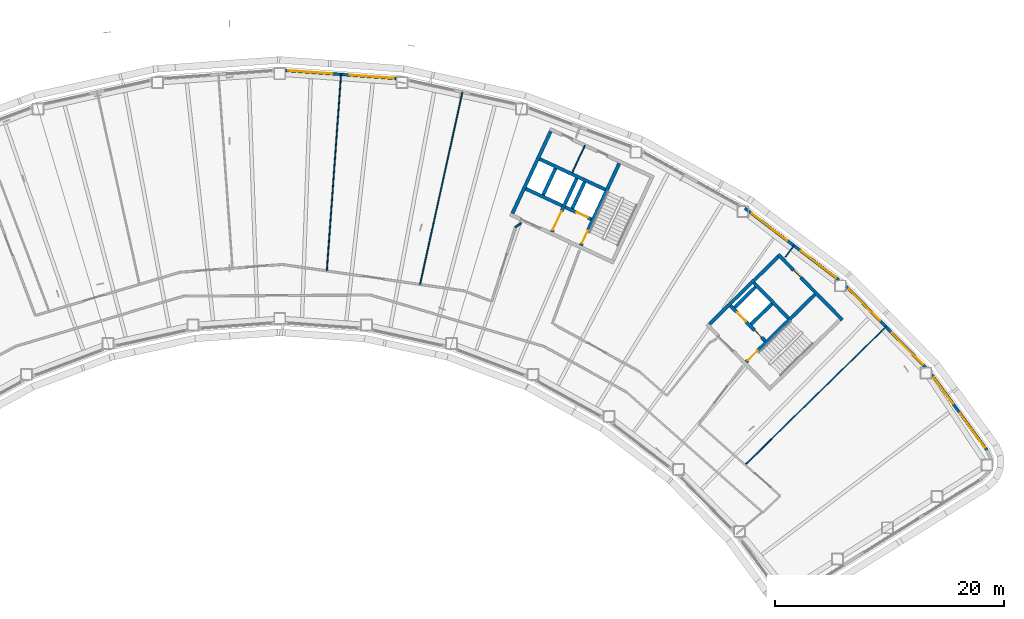
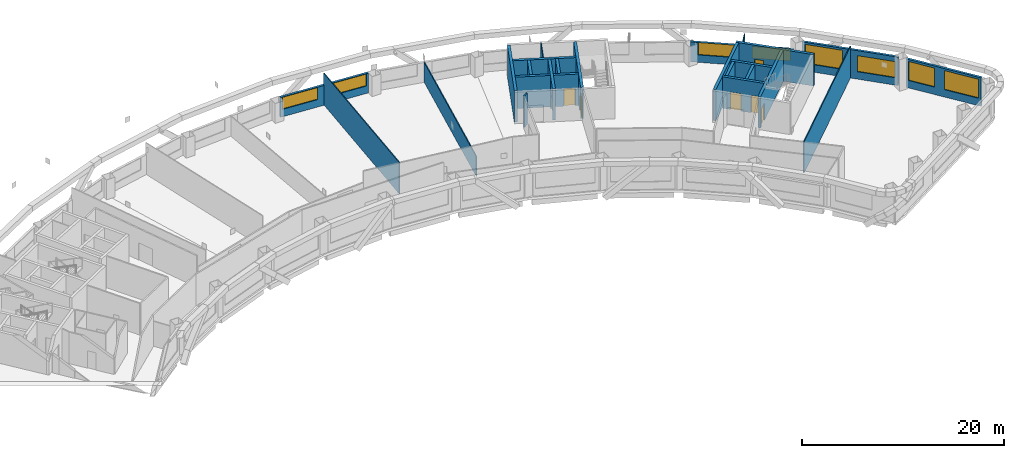
# One storey, part 7 of 19: 25 walls, 8 windows, 7 doors, 15 openings.
"""IFC4 building model written with IfcOpenShell, lengths in metres."""

from ifc_helpers import new_model, si_unit, direction, frame, frame_2d, origin, place, context, subcontext, project, spatial, rectangle, extrude, material, layer, layer_set, type_object, element, fill, save


model = new_model("IFC4")

# Units and contexts
model_context = context("Model", 3, precision=1e-05, world=origin(), true_north=direction((0.0, 1.0)))
body_context = subcontext(model_context, "Body", "Model", "MODEL_VIEW")
ifc_project = project(units=[si_unit("LENGTHUNIT", "METRE"), si_unit("AREAUNIT", "SQUARE_METRE"), si_unit("VOLUMEUNIT", "CUBIC_METRE"), si_unit("PLANEANGLEUNIT", "RADIAN"), si_unit("MASSUNIT", "GRAM", prefix="KILO")], contexts=[model_context])

# Site, building, storey
site_placement = place(None, origin())
site = spatial("IfcSite", under=ifc_project, at=site_placement, CompositionType="ELEMENT")
building_placement = place(site_placement, origin())
building = spatial("IfcBuilding", under=site, at=building_placement, Name="Tuul Gate Civic Tower", CompositionType="ELEMENT")
storey_placement = place(building_placement, frame((0.0, 0.0, 163.39990234375)))
storey = spatial("IfcBuildingStorey", under=building, at=storey_placement, Name="Level 37", CompositionType="ELEMENT", Elevation=163.39990234375)

# Wall, openings, doors
ifc_material_1 = material(Name="Concrete C50/60", Category="concrete")
ifc_layer_1 = layer(ifc_material_1, 0.300048828125)
ifc_layer_set_1 = layer_set([ifc_layer_1], Name="Concrete C50/60")
wall_type_1 = type_object("IfcWallType", Name="Core wall C50/60", PredefinedType="SHEAR", material=ifc_layer_set_1)
wall_1_placement = place(storey_placement, frame((47.701904296875, -14.079833984375, 0.0), z_axis=(0.0, 0.0, 1.0), x_axis=(-0.700002721075, 0.714140175657, 0.0)))
wall_1 = element("IfcWall", 1, at=wall_1_placement, inside=storey, type_object=wall_type_1, Name="Core wall", PredefinedType="SHEAR", context=body_context, shape_type="SweptSolid", body=[
    extrude(rectangle(XDim=4.300048828125, YDim=0.300048828125, at=frame_2d((2.14990234375, 0.0))), origin(), (0.0, 0.0, 1.0), 3.800048828125),
])
opening_1_placement = place(wall_1_placement, frame((0.425048828125, 0.0, 0.0)))
opening_1 = element("IfcOpeningElement", 2, at=opening_1_placement, cuts=wall_1, Name="Opening FB-E1A1", PredefinedType="OPENING", context=body_context, shape_type="SweptSolid", body=[
    extrude(rectangle(XDim=0.89990234375, YDim=2.10009765625, at=frame_2d((0.449951171875, 1.050048828125))), frame((0.0, 0.16015625, 0.0), z_axis=(0.0, -1.0, 0.0), x_axis=(1.0, 0.0, 0.0)), (0.0, 0.0, 1.0), 0.320068359375),
])
opening_2_placement = place(wall_1_placement, frame((2.375, 0.0, 0.0)))
opening_2 = element("IfcOpeningElement", 3, at=opening_2_placement, cuts=wall_1, Name="Opening LD-M3", PredefinedType="OPENING", context=body_context, shape_type="SweptSolid", body=[
    extrude(rectangle(XDim=1.10009765625, YDim=2.10009765625, at=frame_2d((0.550048828125, 1.050048828125))), frame((0.0, 0.16015625, 0.0), z_axis=(0.0, -1.0, 0.0), x_axis=(1.0, 0.0, 0.0)), (0.0, 0.0, 1.0), 0.320068359375),
])
ifc_material_2 = material(Name="Stainless steel", Category="steel")
door_type_1 = type_object("IfcDoorType", Name="Landing door", OperationType="DOUBLE_DOOR_SLIDING", PredefinedType="DOOR", material=ifc_material_2)
door_1_placement = place(opening_2_placement, origin())
door_1 = element("IfcDoor", 4, at=door_1_placement, inside=storey, type_object=door_type_1, Name="Mid-rise lift M3 landing door", OperationType="DOUBLE_DOOR_SLIDING", OverallHeight=2.10009765625, OverallWidth=1.10009765625, PredefinedType="DOOR", context=body_context, shape_type="SweptSolid", body=[
    extrude(rectangle(XDim=1.10009765625, YDim=2.10009765625, at=frame_2d((0.550048828125, 1.050048828125))), frame((0.0, 0.02490234375, 0.0), z_axis=(0.0, -1.0, 0.0), x_axis=(1.0, 0.0, 0.0)), (0.0, 0.0, 1.0), 0.050048828125),
])
fill(opening_2, door_1)
ifc_material_3 = material(Name="Steel", Category="steel")
door_type_2 = type_object("IfcDoorType", Name="Store door", OperationType="NOTDEFINED", PredefinedType="DOOR", material=ifc_material_3)
door_2_placement = place(opening_1_placement, frame((0.89990234375, 0.0, 0.0), z_axis=(0.0, 0.0, 1.0), x_axis=(-1.0, 0.0, 0.0)))
door_2 = element("IfcDoor", 5, at=door_2_placement, inside=storey, type_object=door_type_2, Name="Store door E1A1", OperationType="SINGLE_SWING_RIGHT", OverallHeight=2.10009765625, OverallWidth=0.89990234375, PredefinedType="DOOR", context=body_context, shape_type="SweptSolid", body=[
    extrude(rectangle(XDim=0.89990234375, YDim=2.10009765625, at=frame_2d((0.449951171875, 1.050048828125))), frame((0.0, 0.02490234375, 0.0), z_axis=(0.0, -1.0, 0.0), x_axis=(1.0, 0.0, 0.0)), (0.0, 0.0, 1.0), 0.050048828125),
])
fill(opening_1, door_2)

# Wall
wall_2_placement = place(storey_placement, frame((49.737060546875, -12.0849609375, 0.0), z_axis=(0.0, 0.0, 1.0), x_axis=(-0.700002721075, 0.714140175657, 0.0)))
element("IfcWall", 6, at=wall_2_placement, inside=storey, type_object=wall_type_1, Name="Core wall", PredefinedType="SHEAR", context=body_context, shape_type="SweptSolid", body=[
    extrude(rectangle(XDim=4.300048828125, YDim=0.300048828125, at=frame_2d((2.14990234375, 0.0))), origin(), (0.0, 0.0, 1.0), 3.800048828125),
])

# Wall, opening, door
wall_3_placement = place(storey_placement, frame((54.43798828125, -12.23779296875, 0.0), z_axis=(0.0, 0.0, 1.0), x_axis=(-0.700021979774, 0.714121297703, 0.0)))
wall_3 = element("IfcWall", 7, at=wall_3_placement, inside=storey, type_object=wall_type_1, Name="Core wall", PredefinedType="SHEAR", context=body_context, shape_type="SweptSolid", body=[
    extrude(rectangle(XDim=8.0, YDim=0.300048828125, at=frame_2d((4.0, 0.0))), origin(), (0.0, 0.0, 1.0), 3.800048828125),
])
opening_3_placement = place(wall_3_placement, frame((5.175048828125, 0.0, 0.0)))
opening_3 = element("IfcOpeningElement", 8, at=opening_3_placement, cuts=wall_3, Name="Opening M-D20", PredefinedType="OPENING", context=body_context, shape_type="SweptSolid", body=[
    extrude(rectangle(XDim=0.89990234375, YDim=2.10009765625, at=frame_2d((0.449951171875, 1.050048828125))), frame((0.0, 0.16015625, 0.0), z_axis=(0.0, -1.0, 0.0), x_axis=(1.0, 0.0, 0.0)), (0.0, 0.0, 1.0), 0.320068359375),
])
ifc_material_4 = material(Name="Timber door leaf", Category="wood")
door_type_3 = type_object("IfcDoorType", Name="Door D09", OperationType="NOTDEFINED", PredefinedType="DOOR", material=ifc_material_4)
door_3_placement = place(opening_3_placement, origin())
door_3 = element("IfcDoor", 9, at=door_3_placement, inside=storey, type_object=door_type_3, Name="Door M-D20", OperationType="SINGLE_SWING_LEFT", OverallHeight=2.10009765625, OverallWidth=0.89990234375, PredefinedType="DOOR", context=body_context, shape_type="SweptSolid", body=[
    extrude(rectangle(XDim=0.89990234375, YDim=2.10009765625, at=frame_2d((0.449951171875, 1.050048828125))), frame((0.0, 0.02490234375, 0.0), z_axis=(0.0, -1.0, 0.0), x_axis=(1.0, 0.0, 0.0)), (0.0, 0.0, 1.0), 0.050048828125),
])
fill(opening_3, door_3)

wall_4_placement = place(storey_placement, frame((46.05712890625, -15.902099609375, 0.0), z_axis=(0.0, 0.0, 1.0), x_axis=(0.714134086973, 0.700008932674, 0.0)))
wall_4 = element("IfcWall", 10, at=wall_4_placement, inside=storey, type_object=wall_type_1, Name="Core wall", PredefinedType="SHEAR", context=body_context, shape_type="SweptSolid", body=[
    extrude(rectangle(XDim=8.400146484375, YDim=0.300048828125, at=frame_2d((4.2001953125, 0.0))), origin(), (0.0, 0.0, 1.0), 3.800048828125),
])
opening_4_placement = place(wall_4_placement, frame((0.199951171875, 0.0, 0.0)))
opening_4 = element("IfcOpeningElement", 11, at=opening_4_placement, cuts=wall_4, Name="Opening SD-ST-3", PredefinedType="OPENING", context=body_context, shape_type="SweptSolid", body=[
    extrude(rectangle(XDim=1.199951171875, YDim=2.10009765625, at=frame_2d((0.60009765625, 1.050048828125))), frame((0.0, 0.16015625, 0.0), z_axis=(0.0, -1.0, 0.0), x_axis=(1.0, 0.0, 0.0)), (0.0, 0.0, 1.0), 0.320068359375),
])
ifc_material_5 = material(Name="Steel", Category="steel")
door_type_4 = type_object("IfcDoorType", Name="Stair door", OperationType="NOTDEFINED", PredefinedType="DOOR", material=ifc_material_5)
door_4_placement = place(opening_4_placement, origin())
door_4 = element("IfcDoor", 12, at=door_4_placement, inside=storey, type_object=door_type_4, Name="Stair door ST-3", OperationType="SINGLE_SWING_LEFT", OverallHeight=2.10009765625, OverallWidth=1.199951171875, PredefinedType="DOOR", context=body_context, shape_type="SweptSolid", body=[
    extrude(rectangle(XDim=1.199951171875, YDim=2.10009765625, at=frame_2d((0.60009765625, 1.050048828125))), frame((0.0, 0.02490234375, 0.0), z_axis=(0.0, -1.0, 0.0), x_axis=(1.0, 0.0, 0.0)), (0.0, 0.0, 1.0), 0.050048828125),
])
fill(opening_4, door_4)

# Walls
wall_5_placement = place(storey_placement, frame((46.47900390625, -12.617919921875, 0.0), z_axis=(0.0, 0.0, 1.0), x_axis=(0.71410944159, 0.700034074479, 0.0)))
element("IfcWall", 13, at=wall_5_placement, inside=storey, type_object=wall_type_1, Name="Core wall", PredefinedType="SHEAR", context=body_context, shape_type="SweptSolid", body=[
    extrude(rectangle(XDim=2.5498046875, YDim=0.300048828125, at=frame_2d((1.27490234375, 0.0))), origin(), (0.0, 0.0, 1.0), 3.800048828125),
])
wall_6_placement = place(storey_placement, frame((45.0439453125, -11.154052734375, 0.0), z_axis=(0.0, 0.0, 1.0), x_axis=(0.714108498262, 0.700035036773, 0.0)))
element("IfcWall", 14, at=wall_6_placement, inside=storey, type_object=wall_type_1, Name="Core wall", PredefinedType="SHEAR", context=body_context, shape_type="SweptSolid", body=[
    extrude(rectangle(XDim=2.550048828125, YDim=0.300048828125, at=frame_2d((1.27490234375, 0.0))), origin(), (0.0, 0.0, 1.0), 3.800048828125),
])
wall_7_placement = place(storey_placement, frame((42.837158203125, -12.616943359375, 0.0), z_axis=(0.0, 0.0, 1.0), x_axis=(0.714119844755, 0.700023461983, 0.0)))
element("IfcWall", 15, at=wall_7_placement, inside=storey, type_object=wall_type_1, Name="Core wall", PredefinedType="SHEAR", context=body_context, shape_type="SweptSolid", body=[
    extrude(rectangle(XDim=8.39990234375, YDim=0.300048828125, at=frame_2d((4.199951171875, 0.0))), origin(), (0.0, 0.0, 1.0), 3.800048828125),
])

# Wall, opening, door
wall_8_placement = place(storey_placement, frame((32.545654296875, -3.456787109375, 0.0), z_axis=(0.0, 0.0, 1.0), x_axis=(-0.906300357825, 0.42263419337, 0.0)))
wall_8 = element("IfcWall", 16, at=wall_8_placement, inside=storey, type_object=wall_type_1, Name="Core wall", PredefinedType="SHEAR", context=body_context, shape_type="SweptSolid", body=[
    extrude(rectangle(XDim=2.500244140625, YDim=0.300048828125, at=frame_2d((1.25, 0.0))), origin(), (0.0, 0.0, 1.0), 3.800048828125),
])
opening_5_placement = place(wall_8_placement, frame((0.324951171875, 0.0, 0.0)))
opening_5 = element("IfcOpeningElement", 17, at=opening_5_placement, cuts=wall_8, Name="Opening LD-FF-2", PredefinedType="OPENING", context=body_context, shape_type="SweptSolid", body=[
    extrude(rectangle(XDim=1.10009765625, YDim=2.10009765625, at=frame_2d((0.550048828125, 1.050048828125))), frame((0.0, 0.16015625, 0.0), z_axis=(0.0, -1.0, 0.0), x_axis=(1.0, 0.0, 0.0)), (0.0, 0.0, 1.0), 0.320068359375),
])
door_5_placement = place(opening_5_placement, origin())
door_5 = element("IfcDoor", 18, at=door_5_placement, inside=storey, type_object=door_type_1, Name="Fire-fighting lift FF-2 landing door", OperationType="DOUBLE_DOOR_SLIDING", OverallHeight=2.10009765625, OverallWidth=1.10009765625, PredefinedType="DOOR", context=body_context, shape_type="SweptSolid", body=[
    extrude(rectangle(XDim=1.10009765625, YDim=2.10009765625, at=frame_2d((0.550048828125, 1.050048828125))), frame((0.0, 0.02490234375, 0.0), z_axis=(0.0, -1.0, 0.0), x_axis=(1.0, 0.0, 0.0)), (0.0, 0.0, 1.0), 0.050048828125),
])
fill(opening_5, door_5)

# Walls
wall_9_placement = place(storey_placement, frame((30.0078125, -2.2734375, 0.0), z_axis=(0.0, 0.0, 1.0), x_axis=(-0.90630071767, 0.422633421716, 0.0)))
element("IfcWall", 19, at=wall_9_placement, inside=storey, type_object=wall_type_1, Name="Core wall", PredefinedType="SHEAR", context=body_context, shape_type="SweptSolid", body=[
    extrude(rectangle(XDim=3.5, YDim=0.300048828125, at=frame_2d((1.75, 0.0))), origin(), (0.0, 0.0, 1.0), 3.800048828125),
])
wall_10_placement = place(storey_placement, frame((33.75, -0.873779296875, 0.0), z_axis=(0.0, 0.0, 1.0), x_axis=(-0.906300917592, 0.422632992999, 0.0)))
element("IfcWall", 20, at=wall_10_placement, inside=storey, type_object=wall_type_1, Name="Core wall", PredefinedType="SHEAR", context=body_context, shape_type="SweptSolid", body=[
    extrude(rectangle(XDim=6.300048828125, YDim=0.300048828125, at=frame_2d((3.14990234375, 0.0))), origin(), (0.0, 0.0, 1.0), 3.800048828125),
])

# Wall, opening, door
wall_11_placement = place(storey_placement, frame((31.646240234375, -5.740478515625, 0.0), z_axis=(0.0, 0.0, 1.0), x_axis=(0.422582604137, 0.906324413596, 0.0)))
wall_11 = element("IfcWall", 21, at=wall_11_placement, inside=storey, type_object=wall_type_1, Name="Core wall", PredefinedType="SHEAR", context=body_context, shape_type="SweptSolid", body=[
    extrude(rectangle(XDim=7.89990234375, YDim=0.300048828125, at=frame_2d((3.949951171875, 0.0))), origin(), (0.0, 0.0, 1.0), 3.800048828125),
])
opening_6_placement = place(wall_11_placement, frame((0.199951171875, 0.0, 0.0)))
opening_6 = element("IfcOpeningElement", 22, at=opening_6_placement, cuts=wall_11, Name="Opening SD-ST-4", PredefinedType="OPENING", context=body_context, shape_type="SweptSolid", body=[
    extrude(rectangle(XDim=1.199951171875, YDim=2.10009765625, at=frame_2d((0.60009765625, 1.050048828125))), frame((0.0, 0.16015625, 0.0), z_axis=(0.0, -1.0, 0.0), x_axis=(1.0, 0.0, 0.0)), (0.0, 0.0, 1.0), 0.320068359375),
])
door_6_placement = place(opening_6_placement, origin())
door_6 = element("IfcDoor", 23, at=door_6_placement, inside=storey, type_object=door_type_4, Name="Stair door ST-4", OperationType="SINGLE_SWING_LEFT", OverallHeight=2.10009765625, OverallWidth=1.199951171875, PredefinedType="DOOR", context=body_context, shape_type="SweptSolid", body=[
    extrude(rectangle(XDim=1.199951171875, YDim=2.10009765625, at=frame_2d((0.60009765625, 1.050048828125))), frame((0.0, 0.02490234375, 0.0), z_axis=(0.0, -1.0, 0.0), x_axis=(1.0, 0.0, 0.0)), (0.0, 0.0, 1.0), 0.050048828125),
])
fill(opening_6, door_6)

# Wall
wall_12_placement = place(storey_placement, frame((30.886962890625, -2.517822265625, 0.0), z_axis=(0.0, 0.0, 1.0), x_axis=(0.422612891016, 0.906310291427, 0.0)))
element("IfcWall", 24, at=wall_12_placement, inside=storey, type_object=wall_type_1, Name="Core wall", PredefinedType="SHEAR", context=body_context, shape_type="SweptSolid", body=[
    extrude(rectangle(XDim=2.550048828125, YDim=0.300048828125, at=frame_2d((1.27490234375, 0.0))), origin(), (0.0, 0.0, 1.0), 3.800048828125),
])

# Wall, opening, door
wall_13_placement = place(storey_placement, frame((29.108642578125, -4.557373046875, 0.0), z_axis=(0.0, 0.0, 1.0), x_axis=(0.422566235356, 0.90633204552, 0.0)))
wall_13 = element("IfcWall", 25, at=wall_13_placement, inside=storey, type_object=wall_type_1, Name="Core wall", PredefinedType="SHEAR", context=body_context, shape_type="SweptSolid", body=[
    extrude(rectangle(XDim=5.150146484375, YDim=0.300048828125, at=frame_2d((2.5751953125, 0.0))), origin(), (0.0, 0.0, 1.0), 3.800048828125),
])
opening_7_placement = place(wall_13_placement, frame((0.175048828125, 0.0, 0.0)))
opening_7 = element("IfcOpeningElement", 26, at=opening_7_placement, cuts=wall_13, Name="Opening LB-E3-FLOBBY-1", PredefinedType="OPENING", context=body_context, shape_type="SweptSolid", body=[
    extrude(rectangle(XDim=1.800048828125, YDim=2.10009765625, at=frame_2d((0.89990234375, 1.050048828125))), frame((0.0, 0.16015625, 0.0), z_axis=(0.0, -1.0, 0.0), x_axis=(1.0, 0.0, 0.0)), (0.0, 0.0, 1.0), 0.320068359375),
])
ifc_material_6 = material(Name="Steel", Category="steel")
door_type_5 = type_object("IfcDoorType", Name="Lobby door", OperationType="DOUBLE_DOOR_SINGLE_SWING", PredefinedType="DOOR", material=ifc_material_6)
door_7_placement = place(opening_7_placement, frame((1.800048828125, 0.0, 0.0), z_axis=(0.0, 0.0, 1.0), x_axis=(-1.0, 0.0, 0.0)))
door_7 = element("IfcDoor", 27, at=door_7_placement, inside=storey, type_object=door_type_5, Name="Lobby door E3-FLOBBY", OperationType="DOUBLE_DOOR_SINGLE_SWING", OverallHeight=2.10009765625, OverallWidth=1.800048828125, PredefinedType="DOOR", context=body_context, shape_type="SweptSolid", body=[
    extrude(rectangle(XDim=1.800048828125, YDim=2.10009765625, at=frame_2d((0.900146484375, 1.050048828125))), frame((0.0, 0.02490234375, 0.0), z_axis=(0.0, -1.0, 0.0), x_axis=(1.0, 0.0, 0.0)), (0.0, 0.0, 1.0), 0.050048828125),
])
fill(opening_7, door_7)

# Walls
wall_14_placement = place(storey_placement, frame((28.349365234375, -1.33447265625, 0.0), z_axis=(0.0, 0.0, 1.0), x_axis=(0.422612891016, 0.906310291427, 0.0)))
element("IfcWall", 28, at=wall_14_placement, inside=storey, type_object=wall_type_1, Name="Core wall", PredefinedType="SHEAR", context=body_context, shape_type="SweptSolid", body=[
    extrude(rectangle(XDim=2.550048828125, YDim=0.300048828125, at=frame_2d((1.27490234375, 0.0))), origin(), (0.0, 0.0, 1.0), 3.800048828125),
])
wall_15_placement = place(storey_placement, frame((25.66455078125, -2.951416015625, 0.0), z_axis=(0.0, 0.0, 1.0), x_axis=(0.422582604137, 0.906324413596, 0.0)))
element("IfcWall", 29, at=wall_15_placement, inside=storey, type_object=wall_type_1, Name="Core wall", PredefinedType="SHEAR", context=body_context, shape_type="SweptSolid", body=[
    extrude(rectangle(XDim=7.89990234375, YDim=0.300048828125, at=frame_2d((3.949951171875, 0.0))), origin(), (0.0, 0.0, 1.0), 3.800048828125),
])
ifc_material_7 = material(Name="Gypsum board partition")
ifc_layer_2 = layer(ifc_material_7, 0.14990234375)
ifc_layer_set_2 = layer_set([ifc_layer_2], Name="Gypsum board partition")
wall_type_2 = type_object("IfcWallType", Name="Corridor wall P150", PredefinedType="PARTITIONING", material=ifc_layer_set_2)
wall_16_placement = place(storey_placement, frame((25.919677734375, -4.149169921875, 0.0), z_axis=(0.0, 0.0, 1.0), x_axis=(0.823470266963, 0.56735942702, 0.0)))
element("IfcWall", 30, at=wall_16_placement, inside=storey, type_object=wall_type_2, Name="p016", PredefinedType="PARTITIONING", context=body_context, shape_type="SweptSolid", body=[
    extrude(rectangle(XDim=0.611083984375, YDim=0.14990234375, at=frame_2d((0.3056640625, 0.0))), origin(), (0.0, 0.0, 1.0), 3.800048828125),
])

# Wall, openings, windows
ifc_material_8 = material(Name="Precast concrete C40/50", Category="concrete")
ifc_layer_3 = layer(ifc_material_8, 0.25)
ifc_layer_set_3 = layer_set([ifc_layer_3], Name="Precast concrete C40/50")
wall_type_3 = type_object("IfcWallType", Name="External wall", PredefinedType="STANDARD", material=ifc_layer_set_3)
wall_17_placement = place(storey_placement, frame((67.06298828125, -23.61376953125, 0.0), z_axis=(0.0, 0.0, 1.0), x_axis=(-0.589745261817, 0.807589330145, 0.0)))
wall_17 = element("IfcWall", 31, at=wall_17_placement, inside=storey, type_object=wall_type_3, Name="External wall", PredefinedType="STANDARD", context=body_context, shape_type="SweptSolid", body=[
    extrude(rectangle(XDim=8.167724609375, YDim=0.25, at=frame_2d((4.083984375, 0.0))), origin(), (0.0, 0.0, 1.0), 3.4501953125),
])
opening_8_placement = place(wall_17_placement, frame((0.30078125, 0.0, 0.89990234375)))
opening_8 = element("IfcOpeningElement", 32, at=opening_8_placement, cuts=wall_17, Name="Opening W21", PredefinedType="OPENING", context=body_context, shape_type="SweptSolid", body=[
    extrude(rectangle(XDim=3.699951171875, YDim=2.300048828125, at=frame_2d((1.85009765625, 1.14990234375))), frame((0.0, 0.135009765625, 0.0), z_axis=(0.0, -1.0, 0.0), x_axis=(1.0, 0.0, 0.0)), (0.0, 0.0, 1.0), 0.27001953125),
])
opening_9_placement = place(wall_17_placement, frame((5.052734375, 0.0, 0.89990234375)))
opening_9 = element("IfcOpeningElement", 33, at=opening_9_placement, cuts=wall_17, Name="Opening W23", PredefinedType="OPENING", context=body_context, shape_type="SweptSolid", body=[
    extrude(rectangle(XDim=2.800048828125, YDim=2.300048828125, at=frame_2d((1.39990234375, 1.14990234375))), frame((0.0, 0.135009765625, 0.0), z_axis=(0.0, -1.0, 0.0), x_axis=(1.0, 0.0, 0.0)), (0.0, 0.0, 1.0), 0.27001953125),
])
ifc_material_9 = material(Name="Glass", Category="glass")
window_type_1 = type_object("IfcWindowType", Name="Window W21 3700 x 2300", PartitioningType="SINGLE_PANEL", PredefinedType="WINDOW", material=ifc_material_9)
window_1_placement = place(opening_8_placement, origin())
window_1 = element("IfcWindow", 34, at=window_1_placement, inside=storey, type_object=window_type_1, Name="Window", OverallHeight=2.300048828125, OverallWidth=3.699951171875, PartitioningType="SINGLE_PANEL", PredefinedType="WINDOW", context=body_context, shape_type="SweptSolid", body=[
    extrude(rectangle(XDim=3.699951171875, YDim=2.300048828125, at=frame_2d((1.85009765625, 1.14990234375))), frame((0.0, 0.030029296875, 0.0), z_axis=(0.0, -1.0, 0.0), x_axis=(1.0, 0.0, 0.0)), (0.0, 0.0, 1.0), 0.06005859375),
])
fill(opening_8, window_1)
ifc_material_10 = material(Name="Glass", Category="glass")
window_type_2 = type_object("IfcWindowType", Name="Window W23 2800 x 2300", PartitioningType="SINGLE_PANEL", PredefinedType="WINDOW", material=ifc_material_10)
window_2_placement = place(opening_9_placement, origin())
window_2 = element("IfcWindow", 35, at=window_2_placement, inside=storey, type_object=window_type_2, Name="Window", OverallHeight=2.300048828125, OverallWidth=2.800048828125, PartitioningType="SINGLE_PANEL", PredefinedType="WINDOW", context=body_context, shape_type="SweptSolid", body=[
    extrude(rectangle(XDim=2.800048828125, YDim=2.300048828125, at=frame_2d((1.39990234375, 1.14990234375))), frame((0.0, 0.030029296875, 0.0), z_axis=(0.0, -1.0, 0.0), x_axis=(1.0, 0.0, 0.0)), (0.0, 0.0, 1.0), 0.06005859375),
])
fill(opening_9, window_2)

wall_18_placement = place(storey_placement, frame((61.7109375, -16.384033203125, 0.0), z_axis=(0.0, 0.0, 1.0), x_axis=(-0.700039889753, 0.714103740891, 0.0)))
wall_18 = element("IfcWall", 36, at=wall_18_placement, inside=storey, type_object=wall_type_3, Name="External wall", PredefinedType="STANDARD", context=body_context, shape_type="SweptSolid", body=[
    extrude(rectangle(XDim=9.912353515625, YDim=0.25, at=frame_2d((4.9560546875, 0.0))), origin(), (0.0, 0.0, 1.0), 3.4501953125),
])
opening_10_placement = place(wall_18_placement, frame((0.346923828125, 0.0, 0.89990234375)))
opening_10 = element("IfcOpeningElement", 37, at=opening_10_placement, cuts=wall_18, Name="Opening W147", PredefinedType="OPENING", context=body_context, shape_type="SweptSolid", body=[
    extrude(rectangle(XDim=3.85009765625, YDim=1.949951171875, at=frame_2d((1.925048828125, 0.97509765625))), frame((0.0, 0.135009765625, 0.0), z_axis=(0.0, -1.0, 0.0), x_axis=(1.0, 0.0, 0.0)), (0.0, 0.0, 1.0), 0.27001953125),
])
opening_11_placement = place(wall_18_placement, frame((5.7177734375, 0.0, 0.89990234375)))
opening_11 = element("IfcOpeningElement", 38, at=opening_11_placement, cuts=wall_18, Name="Opening W22", PredefinedType="OPENING", context=body_context, shape_type="SweptSolid", body=[
    extrude(rectangle(XDim=3.85009765625, YDim=2.300048828125, at=frame_2d((1.925048828125, 1.14990234375))), frame((0.0, 0.135009765625, 0.0), z_axis=(0.0, -1.0, 0.0), x_axis=(1.0, 0.0, 0.0)), (0.0, 0.0, 1.0), 0.27001953125),
])
ifc_material_11 = material(Name="Glass", Category="glass")
window_type_3 = type_object("IfcWindowType", Name="Window W147 3850 x 1950", PartitioningType="SINGLE_PANEL", PredefinedType="WINDOW", material=ifc_material_11)
window_3_placement = place(opening_10_placement, origin())
window_3 = element("IfcWindow", 39, at=window_3_placement, inside=storey, type_object=window_type_3, Name="Window", OverallHeight=1.949951171875, OverallWidth=3.85009765625, PartitioningType="SINGLE_PANEL", PredefinedType="WINDOW", context=body_context, shape_type="SweptSolid", body=[
    extrude(rectangle(XDim=3.85009765625, YDim=1.949951171875, at=frame_2d((1.925048828125, 0.97509765625))), frame((0.0, 0.030029296875, 0.0), z_axis=(0.0, -1.0, 0.0), x_axis=(1.0, 0.0, 0.0)), (0.0, 0.0, 1.0), 0.06005859375),
])
fill(opening_10, window_3)
ifc_material_12 = material(Name="Glass", Category="glass")
window_type_4 = type_object("IfcWindowType", Name="Window W22 3850 x 2300", PartitioningType="SINGLE_PANEL", PredefinedType="WINDOW", material=ifc_material_12)
window_4_placement = place(opening_11_placement, origin())
window_4 = element("IfcWindow", 40, at=window_4_placement, inside=storey, type_object=window_type_4, Name="Window", OverallHeight=2.300048828125, OverallWidth=3.85009765625, PartitioningType="SINGLE_PANEL", PredefinedType="WINDOW", context=body_context, shape_type="SweptSolid", body=[
    extrude(rectangle(XDim=3.85009765625, YDim=2.300048828125, at=frame_2d((1.925048828125, 1.14990234375))), frame((0.0, 0.030029296875, 0.0), z_axis=(0.0, -1.0, 0.0), x_axis=(1.0, 0.0, 0.0)), (0.0, 0.0, 1.0), 0.06005859375),
])
fill(opening_11, window_4)

ifc_material_13 = material(Name="Precast concrete C40/50", Category="concrete")
ifc_layer_4 = layer(ifc_material_13, 0.25)
ifc_layer_set_4 = layer_set([ifc_layer_4], Name="Precast concrete C40/50")
wall_type_4 = type_object("IfcWallType", Name="External wall 2400 HIGH", PredefinedType="STANDARD", material=ifc_layer_set_4)
wall_19_placement = place(storey_placement, frame((54.15087890625, -8.759033203125, 0.0), z_axis=(0.0, 0.0, 1.0), x_axis=(-0.795612416646, 0.605805977585, 0.0)))
wall_19 = element("IfcWall", 41, at=wall_19_placement, inside=storey, type_object=wall_type_4, Name="External wall", PredefinedType="STANDARD", context=body_context, shape_type="SweptSolid", body=[
    extrude(rectangle(XDim=10.326171875, YDim=0.25, at=frame_2d((5.1630859375, 0.0))), origin(), (0.0, 0.0, 1.0), 2.400146484375),
])
opening_12_placement = place(wall_19_placement, frame((0.3291015625, 0.0, 0.89990234375)))
opening_12 = element("IfcOpeningElement", 42, at=opening_12_placement, cuts=wall_19, Name="Opening W103", PredefinedType="OPENING", context=body_context, shape_type="SweptSolid", body=[
    extrude(rectangle(XDim=3.85009765625, YDim=1.449951171875, at=frame_2d((1.925048828125, 0.72509765625))), frame((0.0, 0.135009765625, 0.0), z_axis=(0.0, -1.0, 0.0), x_axis=(1.0, 0.0, 0.0)), (0.0, 0.0, 1.0), 0.27001953125),
])
opening_13_placement = place(wall_19_placement, frame((5.699951171875, 0.0, 0.89990234375)))
opening_13 = element("IfcOpeningElement", 43, at=opening_13_placement, cuts=wall_19, Name="Opening W155", PredefinedType="OPENING", context=body_context, shape_type="SweptSolid", body=[
    extrude(rectangle(XDim=3.85009765625, YDim=1.5, at=frame_2d((1.925048828125, 0.75))), frame((0.0, 0.135009765625, 0.0), z_axis=(0.0, -1.0, 0.0), x_axis=(1.0, 0.0, 0.0)), (0.0, 0.0, 1.0), 0.27001953125),
])
ifc_material_14 = material(Name="Glass", Category="glass")
window_type_5 = type_object("IfcWindowType", Name="Window 3850 x 1500", PartitioningType="SINGLE_PANEL", PredefinedType="WINDOW", material=ifc_material_14)
window_5_placement = place(opening_13_placement, origin())
window_5 = element("IfcWindow", 44, at=window_5_placement, inside=storey, type_object=window_type_5, Name="Window", OverallHeight=1.5, OverallWidth=3.85009765625, PartitioningType="SINGLE_PANEL", PredefinedType="WINDOW", context=body_context, shape_type="SweptSolid", body=[
    extrude(rectangle(XDim=3.85009765625, YDim=1.5, at=frame_2d((1.925048828125, 0.75))), frame((0.0, 0.030029296875, 0.0), z_axis=(0.0, -1.0, 0.0), x_axis=(1.0, 0.0, 0.0)), (0.0, 0.0, 1.0), 0.06005859375),
])
fill(opening_13, window_5)
ifc_material_15 = material(Name="Glass", Category="glass")
window_type_6 = type_object("IfcWindowType", Name="Window W103 3850 x 1450", PartitioningType="SINGLE_PANEL", PredefinedType="WINDOW", material=ifc_material_15)
window_6_placement = place(opening_12_placement, origin())
window_6 = element("IfcWindow", 45, at=window_6_placement, inside=storey, type_object=window_type_6, Name="Window", OverallHeight=1.449951171875, OverallWidth=3.85009765625, PartitioningType="SINGLE_PANEL", PredefinedType="WINDOW", context=body_context, shape_type="SweptSolid", body=[
    extrude(rectangle(XDim=3.85009765625, YDim=1.449951171875, at=frame_2d((1.925048828125, 0.72509765625))), frame((0.0, 0.030029296875, 0.0), z_axis=(0.0, -1.0, 0.0), x_axis=(1.0, 0.0, 0.0)), (0.0, 0.0, 1.0), 0.06005859375),
])
fill(opening_12, window_6)

wall_20_placement = place(storey_placement, frame((15.52294921875, 8.822509765625, 0.0), z_axis=(0.0, 0.0, 1.0), x_axis=(-0.997386456692, 0.07225133914, 0.0)))
wall_20 = element("IfcWall", 46, at=wall_20_placement, inside=storey, type_object=wall_type_4, Name="External wall", PredefinedType="STANDARD", context=body_context, shape_type="SweptSolid", body=[
    extrude(rectangle(XDim=9.67431640625, YDim=0.25, at=frame_2d((4.837158203125, 0.0))), origin(), (0.0, 0.0, 1.0), 2.400146484375),
])
opening_14_placement = place(wall_20_placement, frame((0.202880859375, 0.0, 0.89990234375)))
opening_14 = element("IfcOpeningElement", 47, at=opening_14_placement, cuts=wall_20, Name="Opening W103", PredefinedType="OPENING", context=body_context, shape_type="SweptSolid", body=[
    extrude(rectangle(XDim=3.85009765625, YDim=1.449951171875, at=frame_2d((1.925048828125, 0.72509765625))), frame((0.0, 0.135009765625, 0.0), z_axis=(0.0, -1.0, 0.0), x_axis=(1.0, 0.0, 0.0)), (0.0, 0.0, 1.0), 0.27001953125),
])
opening_15_placement = place(wall_20_placement, frame((5.573974609375, 0.0, 0.89990234375)))
opening_15 = element("IfcOpeningElement", 48, at=opening_15_placement, cuts=wall_20, Name="Opening W103", PredefinedType="OPENING", context=body_context, shape_type="SweptSolid", body=[
    extrude(rectangle(XDim=3.85009765625, YDim=1.449951171875, at=frame_2d((1.925048828125, 0.72509765625))), frame((0.0, 0.135009765625, 0.0), z_axis=(0.0, -1.0, 0.0), x_axis=(1.0, 0.0, 0.0)), (0.0, 0.0, 1.0), 0.27001953125),
])
window_7_placement = place(opening_14_placement, origin())
window_7 = element("IfcWindow", 49, at=window_7_placement, inside=storey, type_object=window_type_6, Name="Window", OverallHeight=1.449951171875, OverallWidth=3.85009765625, PartitioningType="SINGLE_PANEL", PredefinedType="WINDOW", context=body_context, shape_type="SweptSolid", body=[
    extrude(rectangle(XDim=3.85009765625, YDim=1.449951171875, at=frame_2d((1.925048828125, 0.72509765625))), frame((0.0, 0.030029296875, 0.0), z_axis=(0.0, -1.0, 0.0), x_axis=(1.0, 0.0, 0.0)), (0.0, 0.0, 1.0), 0.06005859375),
])
fill(opening_14, window_7)
window_8_placement = place(opening_15_placement, origin())
window_8 = element("IfcWindow", 50, at=window_8_placement, inside=storey, type_object=window_type_6, Name="Window", OverallHeight=1.449951171875, OverallWidth=3.85009765625, PartitioningType="SINGLE_PANEL", PredefinedType="WINDOW", context=body_context, shape_type="SweptSolid", body=[
    extrude(rectangle(XDim=3.85009765625, YDim=1.449951171875, at=frame_2d((1.925048828125, 0.72509765625))), frame((0.0, 0.030029296875, 0.0), z_axis=(0.0, -1.0, 0.0), x_axis=(1.0, 0.0, 0.0)), (0.0, 0.0, 1.0), 0.06005859375),
])
fill(opening_15, window_8)

# Walls
ifc_material_16 = material(Name="Gypsum board partition")
ifc_layer_5 = layer(ifc_material_16, 0.10009765625)
ifc_layer_set_5 = layer_set([ifc_layer_5], Name="Gypsum board partition")
wall_type_5 = type_object("IfcWallType", Name="Partition P100", PredefinedType="PARTITIONING", material=ifc_layer_set_5)
wall_21_placement = place(storey_placement, frame((45.962158203125, -24.88037109375, 0.0), z_axis=(0.0, 0.0, 1.0), x_axis=(0.714126545183, 0.700016626563, 0.0)))
element("IfcWall", 51, at=wall_21_placement, inside=storey, type_object=wall_type_5, Name="p001", PredefinedType="PARTITIONING", context=body_context, shape_type="SweptSolid", body=[
    extrude(rectangle(XDim=17.198974609375, YDim=0.10009765625, at=frame_2d((8.599609375, 0.0))), origin(), (0.0, 0.0, 1.0), 3.800048828125),
])
wall_22_placement = place(storey_placement, frame((49.474853515625, -6.746337890625, 0.0), z_axis=(0.0, 0.0, 1.0), x_axis=(0.605733843496, 0.795667336796, 0.0)))
element("IfcWall", 52, at=wall_22_placement, inside=storey, type_object=wall_type_5, Name="p007", PredefinedType="PARTITIONING", context=body_context, shape_type="SweptSolid", body=[
    extrude(rectangle(XDim=1.236572265625, YDim=0.10009765625, at=frame_2d((0.6181640625, 0.0))), origin(), (0.0, 0.0, 1.0), 3.800048828125),
])
wall_23_placement = place(storey_placement, frame((9.48095703125, -7.965576171875, 0.0), z_axis=(0.0, 0.0, 1.0), x_axis=(0.072251526864, 0.997386443093, 0.0)))
element("IfcWall", 53, at=wall_23_placement, inside=storey, type_object=wall_type_5, Name="p019", PredefinedType="PARTITIONING", context=body_context, shape_type="SweptSolid", body=[
    extrude(rectangle(XDim=17.185791015625, YDim=0.10009765625, at=frame_2d((8.5927734375, 0.0))), origin(), (0.0, 0.0, 1.0), 3.800048828125),
])
wall_24_placement = place(storey_placement, frame((30.890380859375, 0.625, 0.0), z_axis=(0.0, 0.0, 1.0), x_axis=(0.422597606916, 0.906317418253, 0.0)))
element("IfcWall", 54, at=wall_24_placement, inside=storey, type_object=wall_type_5, Name="bE3-BAND-0", PredefinedType="PARTITIONING", context=body_context, shape_type="SweptSolid", body=[
    extrude(rectangle(XDim=2.600341796875, YDim=0.10009765625, at=frame_2d((1.30029296875, 0.0))), origin(), (0.0, 0.0, 1.0), 3.800048828125),
])
ifc_material_17 = material(Name="Gypsum board partition")
ifc_layer_6 = layer(ifc_material_17, 0.10009765625)
ifc_layer_set_6 = layer_set([ifc_layer_6], Name="Gypsum board partition")
wall_type_6 = type_object("IfcWallType", Name="Partition P100 2400 HIGH", PredefinedType="PARTITIONING", material=ifc_layer_set_6)
wall_25_placement = place(storey_placement, frame((17.610107421875, -9.14599609375, 0.0), z_axis=(0.0, 0.0, 1.0), x_axis=(0.215219561414, 0.976565686672, 0.0)))
element("IfcWall", 55, at=wall_25_placement, inside=storey, type_object=wall_type_6, Name="p015", PredefinedType="PARTITIONING", context=body_context, shape_type="SweptSolid", body=[
    extrude(rectangle(XDim=17.182373046875, YDim=0.10009765625, at=frame_2d((8.59130859375, 0.0))), origin(), (0.0, 0.0, 1.0), 2.400146484375),
])

save(model, "model.ifc")
